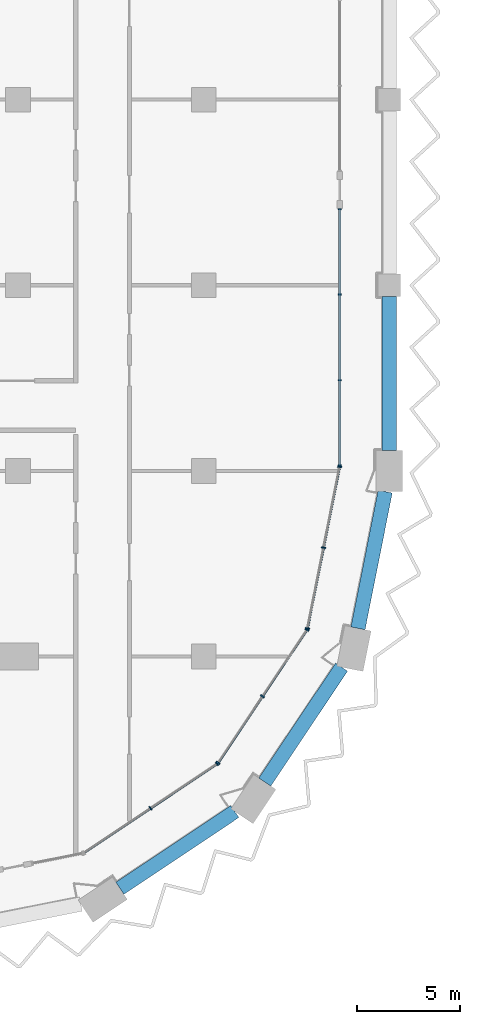
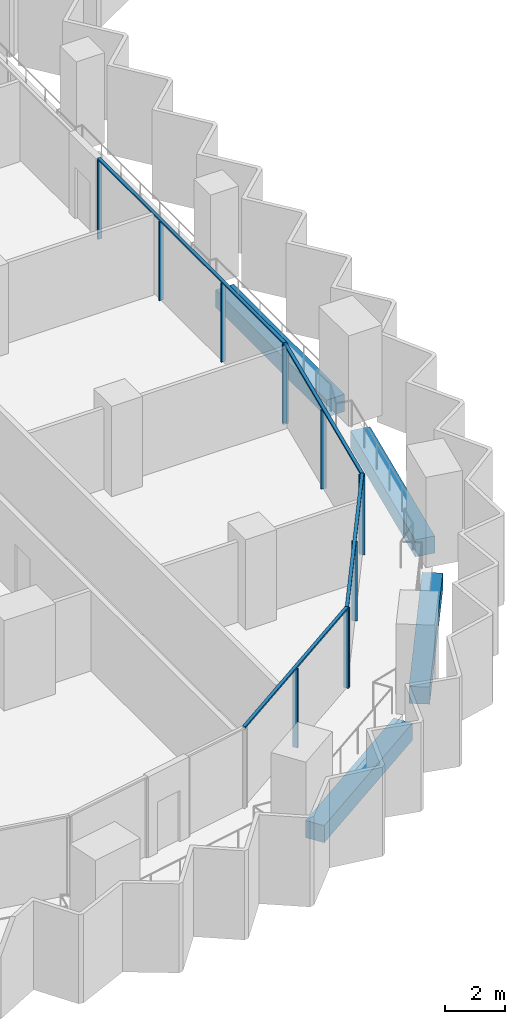
# One storey, part 3 of 22: 16 members, 4 beams, 4 elements without a shape of their own.
"""IFC4 building model written with IfcOpenShell, lengths in metres."""

from ifc_helpers import new_model, si_unit, direction, frame, origin, origin_2d, place, context, subcontext, project, spatial, rectangle, extrude, material, material_profile, profile_set, type_object, element, aggregate, save


model = new_model("IFC4")

# Units and contexts
model_context = context("Model", 3, precision=1e-05, world=origin(), true_north=direction((0.0, 1.0)))
body_context = subcontext(model_context, "Body", "Model", "MODEL_VIEW")
ifc_project = project(units=[si_unit("LENGTHUNIT", "METRE"), si_unit("AREAUNIT", "SQUARE_METRE"), si_unit("VOLUMEUNIT", "CUBIC_METRE"), si_unit("PLANEANGLEUNIT", "RADIAN"), si_unit("MASSUNIT", "GRAM", prefix="KILO")], contexts=[model_context])

# Site, building, storey
site_placement = place(None, origin())
site = spatial("IfcSite", under=ifc_project, at=site_placement, CompositionType="ELEMENT")
building_placement = place(site_placement, origin())
building = spatial("IfcBuilding", under=site, at=building_placement, Name="Hunhe Ridgeline Campus", CompositionType="ELEMENT")
storey_placement = place(building_placement, frame((0.0, 0.0, 163.39990234375)))
storey = spatial("IfcBuildingStorey", under=building, at=storey_placement, Name="L41", CompositionType="ELEMENT", Elevation=163.39990234375)

# Curtain wall, members
ifc_material_1 = material(Name="Aluminium 6063", Category="aluminium")
curtain_wall_type_1 = type_object("IfcCurtainWallType", Name="Curtain wall CW-1", PredefinedType="NOTDEFINED", material=ifc_material_1)
curtain_wall_1_placement = place(storey_placement, origin())
curtain_wall_1 = element("IfcCurtainWall", 1, at=curtain_wall_1_placement, inside=storey, type_object=curtain_wall_type_1, Name="Curtain wall 11", PredefinedType="NOTDEFINED")
ifc_material_profile_1 = material_profile(ifc_material_1, rectangle(XDim=0.159912109375, YDim=0.06005859375, at=origin_2d()))
ifc_profile_set_1 = profile_set([ifc_material_profile_1], Name="Aluminium 6063")
member_type_1 = type_object("IfcMemberType", Name="CW-1 aluminium mullion", PredefinedType="MULLION", material=ifc_profile_set_1)
member_1_placement = place(storey_placement, frame((42.59912109375, 27.266357421875, 0.0), z_axis=(0.0, 0.0, 1.0), x_axis=(-0.99999999999, 4.406345e-06, 0.0)))
member_1 = element("IfcMember", 2, at=member_1_placement, type_object=member_type_1, Name="CW-1 mullion 1", PredefinedType="MULLION", context=body_context, shape_type="SweptSolid", body=[
    extrude(rectangle(XDim=0.159912109375, YDim=0.06005859375, at=origin_2d()), origin(), (0.0, 0.0, 1.0), 3.239990234375),
])
member_2_placement = place(storey_placement, frame((42.59912109375, 31.397216796875, 0.0), z_axis=(0.0, 0.0, 1.0), x_axis=(-0.99999999999, 4.406345e-06, 0.0)))
member_2 = element("IfcMember", 3, at=member_2_placement, type_object=member_type_1, Name="CW-1 mullion 2", PredefinedType="MULLION", context=body_context, shape_type="SweptSolid", body=[
    extrude(rectangle(XDim=0.159912109375, YDim=0.06005859375, at=origin_2d()), origin(), (0.0, 0.0, 1.0), 3.239990234375),
])
member_3_placement = place(storey_placement, frame((42.59912109375, 35.557861328125, 0.0), z_axis=(0.0, 0.0, 1.0), x_axis=(-0.99999999999, 4.406345e-06, 0.0)))
member_3 = element("IfcMember", 4, at=member_3_placement, type_object=member_type_1, Name="CW-1 mullion 3", PredefinedType="MULLION", context=body_context, shape_type="SweptSolid", body=[
    extrude(rectangle(XDim=0.159912109375, YDim=0.06005859375, at=origin_2d()), origin(), (0.0, 0.0, 1.0), 3.239990234375),
])
member_4_placement = place(storey_placement, frame((42.59912109375, 39.6884765625, 0.0), z_axis=(0.0, 0.0, 1.0), x_axis=(-0.99999999999, 4.406345e-06, 0.0)))
member_4 = element("IfcMember", 5, at=member_4_placement, type_object=member_type_1, Name="CW-1 mullion 4", PredefinedType="MULLION", context=body_context, shape_type="SweptSolid", body=[
    extrude(rectangle(XDim=0.159912109375, YDim=0.06005859375, at=origin_2d()), origin(), (0.0, 0.0, 1.0), 3.239990234375),
])
ifc_material_profile_2 = material_profile(ifc_material_1, rectangle(XDim=0.1201171875, YDim=0.06005859375, at=origin_2d()))
ifc_profile_set_2 = profile_set([ifc_material_profile_2], Name="Aluminium 6063")
member_type_2 = type_object("IfcMemberType", Name="CW-1 aluminium transom", PredefinedType="USERDEFINED", material=ifc_profile_set_2)
member_5_placement = place(storey_placement, frame((42.59912109375, 27.236572265625, 3.27001953125), z_axis=(0.0, 1.0, 0.0), x_axis=(-1.0, 0.0, 0.0)))
member_5 = element("IfcMember", 6, at=member_5_placement, type_object=member_type_2, Name="CW-1 transom 1", ObjectType="TRANSOM", PredefinedType="USERDEFINED", context=body_context, shape_type="SweptSolid", body=[
    extrude(rectangle(XDim=0.1201171875, YDim=0.06005859375, at=origin_2d()), origin(), (0.0, 0.0, 1.0), 12.48193359375),
])
aggregate(curtain_wall_1, [member_5, member_1, member_2, member_3, member_4])

curtain_wall_type_2 = type_object("IfcCurtainWallType", Name="Curtain wall CW-5", PredefinedType="NOTDEFINED", material=ifc_material_1)
curtain_wall_2_placement = place(storey_placement, origin())
curtain_wall_2 = element("IfcCurtainWall", 7, at=curtain_wall_2_placement, inside=storey, type_object=curtain_wall_type_2, Name="Curtain wall 08", PredefinedType="NOTDEFINED")
ifc_material_profile_3 = material_profile(ifc_material_1, rectangle(XDim=0.199951171875, YDim=0.070068359375, at=origin_2d()))
ifc_profile_set_3 = profile_set([ifc_material_profile_3], Name="Aluminium 6063")
member_type_3 = type_object("IfcMemberType", Name="CW-5 aluminium mullion", PredefinedType="MULLION", material=ifc_profile_set_3)
member_6_placement = place(storey_placement, frame((33.42626953125, 10.647705078125, 0.0), z_axis=(0.0, 0.0, 1.0), x_axis=(-0.555570274596, 0.831469584522, 0.0)))
member_6 = element("IfcMember", 8, at=member_6_placement, type_object=member_type_3, Name="CW-5 mullion 2", PredefinedType="MULLION", context=body_context, shape_type="SweptSolid", body=[
    extrude(rectangle(XDim=0.199951171875, YDim=0.070068359375, at=origin_2d()), origin(), (0.0, 0.0, 1.0), 3.22998046875),
])
member_7_placement = place(storey_placement, frame((36.649658203125, 12.8017578125, 0.0), z_axis=(0.0, 0.0, 1.0), x_axis=(-0.555570274596, 0.831469584522, 0.0)))
member_7 = element("IfcMember", 9, at=member_7_placement, type_object=member_type_3, Name="CW-5 mullion 3", PredefinedType="MULLION", context=body_context, shape_type="SweptSolid", body=[
    extrude(rectangle(XDim=0.199951171875, YDim=0.070068359375, at=origin_2d()), origin(), (0.0, 0.0, 1.0), 3.22998046875),
])

curtain_wall_3_placement = place(storey_placement, origin())
curtain_wall_3 = element("IfcCurtainWall", 10, at=curtain_wall_3_placement, inside=storey, type_object=curtain_wall_type_2, Name="Curtain wall 09", PredefinedType="NOTDEFINED")
member_8_placement = place(storey_placement, frame((36.6982421875, 12.850341796875, 0.0), z_axis=(0.0, 0.0, 1.0), x_axis=(-0.831469584522, 0.555570274596, 0.0)))
member_8 = element("IfcMember", 11, at=member_8_placement, type_object=member_type_3, Name="CW-5 mullion 1", PredefinedType="MULLION", context=body_context, shape_type="SweptSolid", body=[
    extrude(rectangle(XDim=0.199951171875, YDim=0.070068359375, at=origin_2d()), origin(), (0.0, 0.0, 1.0), 3.22998046875),
])
member_9_placement = place(storey_placement, frame((38.852294921875, 16.07373046875, 0.0), z_axis=(0.0, 0.0, 1.0), x_axis=(-0.831469584522, 0.555570274596, 0.0)))
member_9 = element("IfcMember", 12, at=member_9_placement, type_object=member_type_3, Name="CW-5 mullion 2", PredefinedType="MULLION", context=body_context, shape_type="SweptSolid", body=[
    extrude(rectangle(XDim=0.199951171875, YDim=0.070068359375, at=origin_2d()), origin(), (0.0, 0.0, 1.0), 3.22998046875),
])
member_10_placement = place(storey_placement, frame((41.006103515625, 19.29736328125, 0.0), z_axis=(0.0, 0.0, 1.0), x_axis=(-0.831469584522, 0.555570274596, 0.0)))
member_10 = element("IfcMember", 13, at=member_10_placement, type_object=member_type_3, Name="CW-5 mullion 3", PredefinedType="MULLION", context=body_context, shape_type="SweptSolid", body=[
    extrude(rectangle(XDim=0.199951171875, YDim=0.070068359375, at=origin_2d()), origin(), (0.0, 0.0, 1.0), 3.22998046875),
])

curtain_wall_4_placement = place(storey_placement, origin())
curtain_wall_4 = element("IfcCurtainWall", 14, at=curtain_wall_4_placement, inside=storey, type_object=curtain_wall_type_2, Name="Curtain wall 10", PredefinedType="NOTDEFINED")
member_11_placement = place(storey_placement, frame((41.032470703125, 19.36083984375, 0.0), z_axis=(0.0, 0.0, 1.0), x_axis=(-0.980785284939, 0.195090299215, 0.0)))
member_11 = element("IfcMember", 15, at=member_11_placement, type_object=member_type_3, Name="CW-5 mullion 1", PredefinedType="MULLION", context=body_context, shape_type="SweptSolid", body=[
    extrude(rectangle(XDim=0.199951171875, YDim=0.070068359375, at=origin_2d()), origin(), (0.0, 0.0, 1.0), 3.22998046875),
])
member_12_placement = place(storey_placement, frame((41.812255859375, 23.281494140625, 0.0), z_axis=(0.0, 0.0, 1.0), x_axis=(-0.980785284939, 0.195090299215, 0.0)))
member_12 = element("IfcMember", 16, at=member_12_placement, type_object=member_type_3, Name="CW-5 mullion 2", PredefinedType="MULLION", context=body_context, shape_type="SweptSolid", body=[
    extrude(rectangle(XDim=0.199951171875, YDim=0.070068359375, at=origin_2d()), origin(), (0.0, 0.0, 1.0), 3.22998046875),
])
member_13_placement = place(storey_placement, frame((42.59228515625, 27.2021484375, 0.0), z_axis=(0.0, 0.0, 1.0), x_axis=(-0.980785284939, 0.195090299215, 0.0)))
member_13 = element("IfcMember", 17, at=member_13_placement, type_object=member_type_3, Name="CW-5 mullion 3", PredefinedType="MULLION", context=body_context, shape_type="SweptSolid", body=[
    extrude(rectangle(XDim=0.199951171875, YDim=0.070068359375, at=origin_2d()), origin(), (0.0, 0.0, 1.0), 3.22998046875),
])

# Member
ifc_material_profile_4 = material_profile(ifc_material_1, rectangle(XDim=0.1201171875, YDim=0.070068359375, at=origin_2d()))
ifc_profile_set_4 = profile_set([ifc_material_profile_4], Name="Aluminium 6063")
member_type_4 = type_object("IfcMemberType", Name="CW-5 aluminium transom", PredefinedType="USERDEFINED", material=ifc_profile_set_4)
member_14_placement = place(storey_placement, frame((30.173583984375, 8.474365234375, 3.26513671875), z_axis=(0.831473763475, 0.5555640203, 0.0), x_axis=(-0.5555640203, 0.831473763475, 0.0)))
member_14 = element("IfcMember", 18, at=member_14_placement, type_object=member_type_4, Name="CW-5 transom 1", ObjectType="TRANSOM", PredefinedType="USERDEFINED", context=body_context, shape_type="SweptSolid", body=[
    extrude(rectangle(XDim=0.1201171875, YDim=0.070068359375, at=origin_2d()), origin(), (0.0, 0.0, 1.0), 7.823974609375),
])

aggregate(curtain_wall_2, [member_14, member_6, member_7])

member_15_placement = place(storey_placement, frame((36.678955078125, 12.821044921875, 3.26513671875), z_axis=(0.5555640203, 0.831473763475, 0.0), x_axis=(-0.831473763475, 0.5555640203, 0.0)))
member_15 = element("IfcMember", 19, at=member_15_placement, type_object=member_type_4, Name="CW-5 transom 1", ObjectType="TRANSOM", PredefinedType="USERDEFINED", context=body_context, shape_type="SweptSolid", body=[
    extrude(rectangle(XDim=0.1201171875, YDim=0.070068359375, at=origin_2d()), origin(), (0.0, 0.0, 1.0), 7.823974609375),
])

aggregate(curtain_wall_3, [member_15, member_8, member_9, member_10])

member_16_placement = place(storey_placement, frame((41.025634765625, 19.326416015625, 3.26513671875), z_axis=(0.195097290093, 0.980783894341, 0.0), x_axis=(-0.980783894341, 0.195097290093, 0.0)))
member_16 = element("IfcMember", 20, at=member_16_placement, type_object=member_type_4, Name="CW-5 transom 1", ObjectType="TRANSOM", PredefinedType="USERDEFINED", context=body_context, shape_type="SweptSolid", body=[
    extrude(rectangle(XDim=0.1201171875, YDim=0.070068359375, at=origin_2d()), origin(), (0.0, 0.0, 1.0), 8.065185546875),
])

aggregate(curtain_wall_4, [member_16, member_11, member_12, member_13])

# Beams
ifc_material_2 = material(Name="Concrete C60", Category="concrete")
ifc_material_profile_5 = material_profile(ifc_material_2, rectangle(XDim=0.699951171875, YDim=0.699951171875, at=origin_2d()))
ifc_profile_set_5 = profile_set([ifc_material_profile_5], Name="Concrete C60")
beam_type = type_object("IfcBeamType", Name="RC spandrel beam 700x700 Concrete C60", PredefinedType="SPANDREL", material=ifc_profile_set_5)
for number, where, z_axis, x_axis, name in (
    (21, (31.94189453125, 6.768310546875, -0.599853515625), (0.831472141711, 0.555566447474, 0.0), (-0.555566447474, 0.831472141711, 0.0), "Spandrel beam B2-6 L41"),
    (22, (38.965576171875, 11.921630859375, -0.599853515625), (0.555566447474, 0.831472141711, 0.0), (-0.831472141711, 0.555566447474, 0.0), "Spandrel beam B2-7 L41"),
):
    element("IfcBeam", number, at=place(storey_placement, frame(where, z_axis=z_axis, x_axis=x_axis)), inside=storey, type_object=beam_type, Name=name, PredefinedType="SPANDREL", context=body_context, shape_type="SweptSolid", body=[
        extrude(rectangle(XDim=0.699951171875, YDim=0.699951171875, at=origin_2d()), origin(), (0.0, 0.0, 1.0), 6.69677734375),
    ])
beam_1_placement = place(storey_placement, frame((43.482421875, 19.370361328125, -0.599853515625), z_axis=(0.195074154586, 0.980788496166, 0.0), x_axis=(-0.980788496166, 0.195074154586, 0.0)))
element("IfcBeam", 23, at=beam_1_placement, inside=storey, type_object=beam_type, Name="Spandrel beam B2-8 L41", PredefinedType="SPANDREL", context=body_context, shape_type="SweptSolid", body=[
    extrude(rectangle(XDim=0.699951171875, YDim=0.699951171875, at=origin_2d()), origin(), (0.0, 0.0, 1.0), 6.759521484375),
])
beam_2_placement = place(storey_placement, frame((45.0, 28.0, -0.599853515625), z_axis=(0.0, 1.0, 0.0), x_axis=(-1.0, 0.0, 0.0)))
element("IfcBeam", 24, at=beam_2_placement, inside=storey, type_object=beam_type, Name="Spandrel beam B2-9 L41", PredefinedType="SPANDREL", context=body_context, shape_type="SweptSolid", body=[
    extrude(rectangle(XDim=0.699951171875, YDim=0.699951171875, at=origin_2d()), origin(), (0.0, 0.0, 1.0), 7.449951171875),
])

save(model, "model.ifc")
